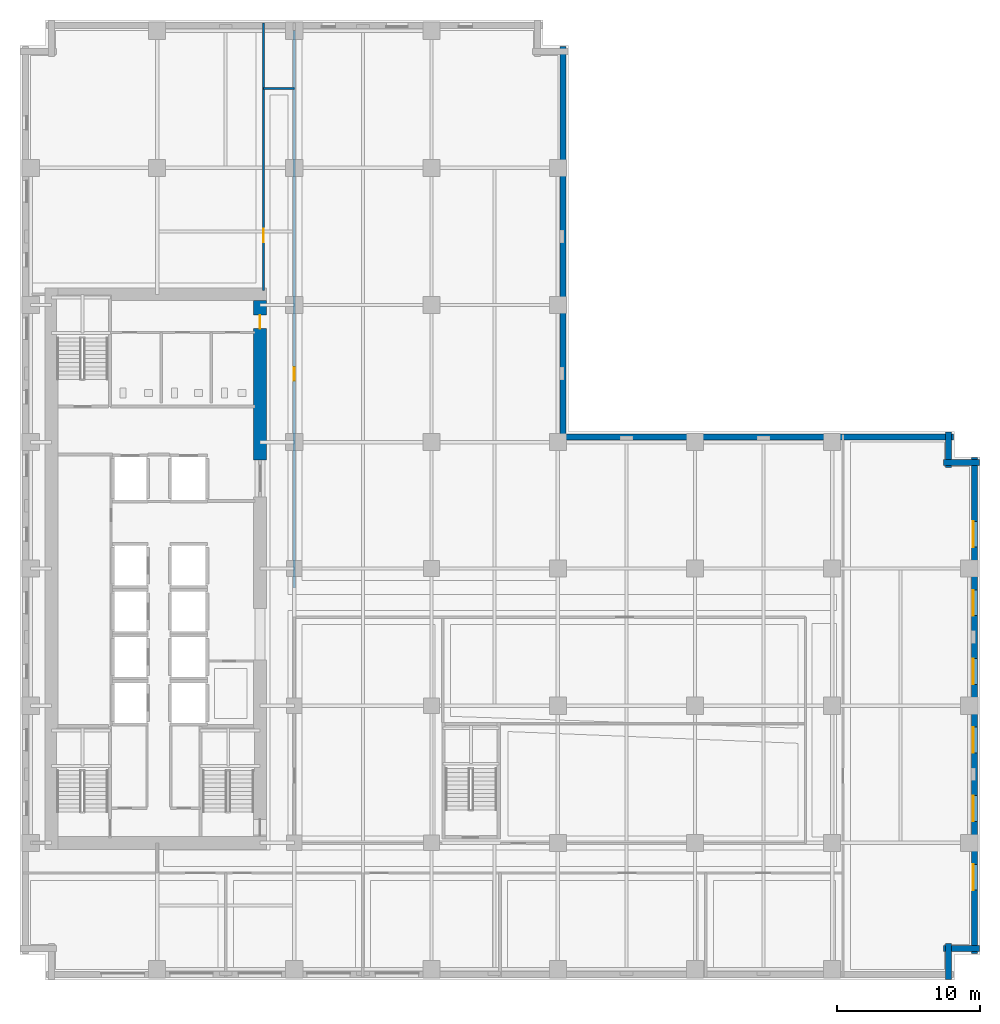
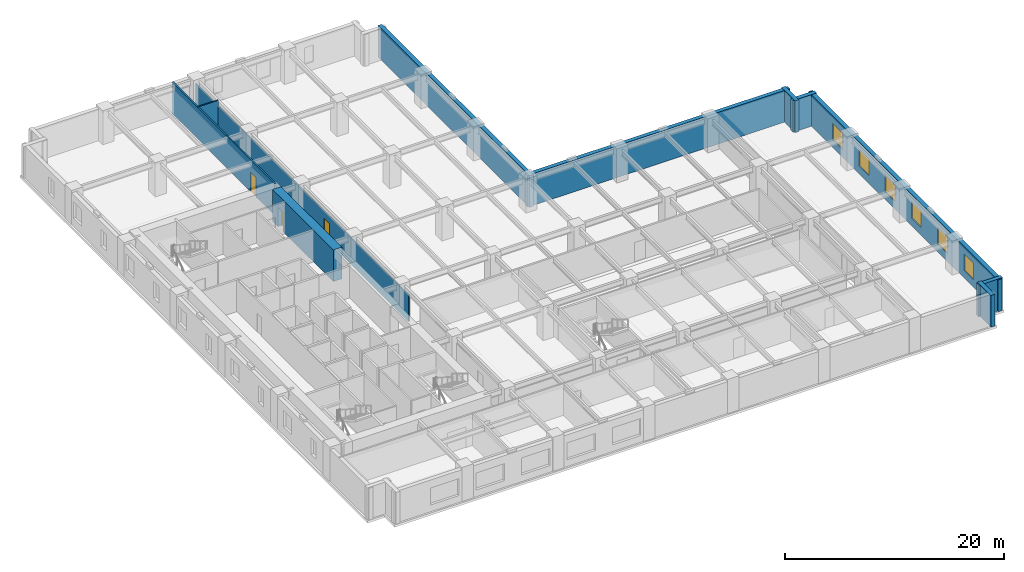
# One storey, part 7 of 13: 11 walls, 6 windows, 3 doors, 9 openings.
"""IFC4 building model written with IfcOpenShell, lengths in metres."""

from ifc_helpers import new_model, si_unit, direction, frame, frame_2d, origin, place, context, subcontext, project, spatial, rectangle, extrude, material, layer, layer_set, type_object, element, fill, save


model = new_model("IFC4")

# Units and contexts
model_context = context("Model", 3, precision=1e-05, world=origin(), true_north=direction((0.0, 1.0)))
body_context = subcontext(model_context, "Body", "Model", "MODEL_VIEW")
ifc_project = project(units=[si_unit("LENGTHUNIT", "METRE"), si_unit("AREAUNIT", "SQUARE_METRE"), si_unit("VOLUMEUNIT", "CUBIC_METRE"), si_unit("PLANEANGLEUNIT", "RADIAN"), si_unit("MASSUNIT", "GRAM", prefix="KILO")], contexts=[model_context])

# Site, building, storey
site_placement = place(None, origin())
site = spatial("IfcSite", under=ifc_project, at=site_placement, CompositionType="ELEMENT")
building_placement = place(site_placement, origin())
building = spatial("IfcBuilding", under=site, at=building_placement, Name="Norrvale University Quadrangle", CompositionType="ELEMENT")
storey_placement = place(building_placement, frame((0.0, 0.0, 31.800048828125)))
storey = spatial("IfcBuildingStorey", under=building, at=storey_placement, Name="L07", CompositionType="ELEMENT", Elevation=31.800048828125)

# Walls
ifc_material_1 = material(Name="Buff Norman Clay Brick Masonry", Category="masonry")
ifc_layer_1 = layer(ifc_material_1, 0.419921875, Name="Buff Norman Clay Brick Masonry")
ifc_layer_set_1 = layer_set([ifc_layer_1], Name="Buff Norman Clay Brick Masonry")
wall_type_1 = type_object("IfcWallType", Name="Wall Buff Brick 420", PredefinedType="SOLIDWALL", material=ifc_layer_set_1)
for number, where, z_axis, x_axis, name in (
    (1, (65.010009765625, 0.0400390625, 0.0), (0.0, 0.0, 1.0), (0.0, 1.0, 0.0), "Exterior Brick Facade Wall L07-02.1"),
    (2, (64.659912109375, 2.18994140625, 0.0), (0.0, 0.0, 1.0), (1.0, 0.0, 0.0), "Exterior Brick Facade Wall L07-03.1"),
):
    element("IfcWall", number, at=place(storey_placement, frame(where, z_axis=z_axis, x_axis=x_axis)), inside=storey, type_object=wall_type_1, Name=name, PredefinedType="SOLIDWALL", context=body_context, shape_type="SweptSolid", body=[
        extrude(rectangle(XDim=2.5, YDim=0.419921875, at=frame_2d((1.25, 0.0))), origin(), (0.0, 0.0, 1.0), 3.5400390625),
    ])

# Wall, openings, windows
wall_1_placement = place(storey_placement, frame((66.81005859375, 1.840087890625, 0.0), z_axis=(0.0, 0.0, 1.0), x_axis=(0.0, 1.0, 0.0)))
wall_1 = element("IfcWall", 3, at=wall_1_placement, inside=storey, type_object=wall_type_1, Name="Exterior Brick Facade Wall L07-04.1", PredefinedType="SOLIDWALL", context=body_context, shape_type="SweptSolid", body=[
    extrude(rectangle(XDim=34.719970703125, YDim=0.419921875, at=frame_2d((17.35986328125, 0.0))), origin(), (0.0, 0.0, 1.0), 3.5400390625),
])
opening_1_placement = place(wall_1_placement, frame((4.4599609375, 0.0, 0.85009765625)))
opening_1 = element("IfcOpeningElement", 4, at=opening_1_placement, cuts=wall_1, Name="Opening W01", PredefinedType="OPENING", context=body_context, shape_type="SweptSolid", body=[
    extrude(rectangle(XDim=1.800048828125, YDim=1.85009765625, at=frame_2d((0.89990234375, 0.925048828125))), frame((0.0, 0.221923828125, 0.0), z_axis=(0.0, -1.0, 0.0), x_axis=(1.0, 0.0, 0.0)), (0.0, 0.0, 1.0), 0.44384765625),
])
opening_2_placement = place(wall_1_placement, frame((9.260009765625, 0.0, 0.85009765625)))
opening_2 = element("IfcOpeningElement", 5, at=opening_2_placement, cuts=wall_1, Name="Opening W01", PredefinedType="OPENING", context=body_context, shape_type="SweptSolid", body=[
    extrude(rectangle(XDim=1.800048828125, YDim=1.85009765625, at=frame_2d((0.89990234375, 0.925048828125))), frame((0.0, 0.221923828125, 0.0), z_axis=(0.0, -1.0, 0.0), x_axis=(1.0, 0.0, 0.0)), (0.0, 0.0, 1.0), 0.44384765625),
])
opening_3_placement = place(wall_1_placement, frame((14.06005859375, 0.0, 0.85009765625)))
opening_3 = element("IfcOpeningElement", 6, at=opening_3_placement, cuts=wall_1, Name="Opening W01", PredefinedType="OPENING", context=body_context, shape_type="SweptSolid", body=[
    extrude(rectangle(XDim=1.800048828125, YDim=1.85009765625, at=frame_2d((0.89990234375, 0.925048828125))), frame((0.0, 0.221923828125, 0.0), z_axis=(0.0, -1.0, 0.0), x_axis=(1.0, 0.0, 0.0)), (0.0, 0.0, 1.0), 0.44384765625),
])
opening_4_placement = place(wall_1_placement, frame((18.860107421875, 0.0, 0.85009765625)))
opening_4 = element("IfcOpeningElement", 7, at=opening_4_placement, cuts=wall_1, Name="Opening W01", PredefinedType="OPENING", context=body_context, shape_type="SweptSolid", body=[
    extrude(rectangle(XDim=1.800048828125, YDim=1.85009765625, at=frame_2d((0.89990234375, 0.925048828125))), frame((0.0, 0.221923828125, 0.0), z_axis=(0.0, -1.0, 0.0), x_axis=(1.0, 0.0, 0.0)), (0.0, 0.0, 1.0), 0.44384765625),
])
opening_5_placement = place(wall_1_placement, frame((23.659912109375, 0.0, 0.85009765625)))
opening_5 = element("IfcOpeningElement", 8, at=opening_5_placement, cuts=wall_1, Name="Opening W01", PredefinedType="OPENING", context=body_context, shape_type="SweptSolid", body=[
    extrude(rectangle(XDim=1.800048828125, YDim=1.85009765625, at=frame_2d((0.89990234375, 0.925048828125))), frame((0.0, 0.221923828125, 0.0), z_axis=(0.0, -1.0, 0.0), x_axis=(1.0, 0.0, 0.0)), (0.0, 0.0, 1.0), 0.44384765625),
])
opening_6_placement = place(wall_1_placement, frame((28.4599609375, 0.0, 0.85009765625)))
opening_6 = element("IfcOpeningElement", 9, at=opening_6_placement, cuts=wall_1, Name="Opening W01", PredefinedType="OPENING", context=body_context, shape_type="SweptSolid", body=[
    extrude(rectangle(XDim=1.800048828125, YDim=1.85009765625, at=frame_2d((0.89990234375, 0.925048828125))), frame((0.0, 0.221923828125, 0.0), z_axis=(0.0, -1.0, 0.0), x_axis=(1.0, 0.0, 0.0)), (0.0, 0.0, 1.0), 0.44384765625),
])
ifc_material_2 = material(Name="Triple Low-E Argon Glazing", Category="glass")
window_type = type_object("IfcWindowType", Name="Window Academic 1800x2300", PartitioningType="DOUBLE_PANEL_VERTICAL", PredefinedType="WINDOW", material=ifc_material_2)
window_1_placement = place(opening_1_placement, origin())
window_1 = element("IfcWindow", 10, at=window_1_placement, inside=storey, type_object=window_type, Name="Window Academic 1800x2300 WIN-L07-E04-1-01", OverallHeight=1.85009765625, OverallWidth=1.800048828125, PartitioningType="DOUBLE_PANEL_VERTICAL", PredefinedType="WINDOW", context=body_context, shape_type="SweptSolid", body=[
    extrude(rectangle(XDim=1.800048828125, YDim=1.85009765625, at=frame_2d((0.89990234375, 0.925048828125))), frame((0.0, 0.110107421875, 0.0), z_axis=(0.0, -1.0, 0.0), x_axis=(1.0, 0.0, 0.0)), (0.0, 0.0, 1.0), 0.06005859375),
])
fill(opening_1, window_1)
window_2_placement = place(opening_2_placement, origin())
window_2 = element("IfcWindow", 11, at=window_2_placement, inside=storey, type_object=window_type, Name="Window Academic 1800x2300 WIN-L07-E04-1-02", OverallHeight=1.85009765625, OverallWidth=1.800048828125, PartitioningType="DOUBLE_PANEL_VERTICAL", PredefinedType="WINDOW", context=body_context, shape_type="SweptSolid", body=[
    extrude(rectangle(XDim=1.800048828125, YDim=1.85009765625, at=frame_2d((0.89990234375, 0.925048828125))), frame((0.0, 0.110107421875, 0.0), z_axis=(0.0, -1.0, 0.0), x_axis=(1.0, 0.0, 0.0)), (0.0, 0.0, 1.0), 0.06005859375),
])
fill(opening_2, window_2)
window_3_placement = place(opening_3_placement, origin())
window_3 = element("IfcWindow", 12, at=window_3_placement, inside=storey, type_object=window_type, Name="Window Academic 1800x2300 WIN-L07-E04-1-03", OverallHeight=1.85009765625, OverallWidth=1.800048828125, PartitioningType="DOUBLE_PANEL_VERTICAL", PredefinedType="WINDOW", context=body_context, shape_type="SweptSolid", body=[
    extrude(rectangle(XDim=1.800048828125, YDim=1.85009765625, at=frame_2d((0.89990234375, 0.925048828125))), frame((0.0, 0.110107421875, 0.0), z_axis=(0.0, -1.0, 0.0), x_axis=(1.0, 0.0, 0.0)), (0.0, 0.0, 1.0), 0.06005859375),
])
fill(opening_3, window_3)
window_4_placement = place(opening_4_placement, origin())
window_4 = element("IfcWindow", 13, at=window_4_placement, inside=storey, type_object=window_type, Name="Window Academic 1800x2300 WIN-L07-E04-1-04", OverallHeight=1.85009765625, OverallWidth=1.800048828125, PartitioningType="DOUBLE_PANEL_VERTICAL", PredefinedType="WINDOW", context=body_context, shape_type="SweptSolid", body=[
    extrude(rectangle(XDim=1.800048828125, YDim=1.85009765625, at=frame_2d((0.89990234375, 0.925048828125))), frame((0.0, 0.110107421875, 0.0), z_axis=(0.0, -1.0, 0.0), x_axis=(1.0, 0.0, 0.0)), (0.0, 0.0, 1.0), 0.06005859375),
])
fill(opening_4, window_4)
window_5_placement = place(opening_5_placement, origin())
window_5 = element("IfcWindow", 14, at=window_5_placement, inside=storey, type_object=window_type, Name="Window Academic 1800x2300 WIN-L07-E04-1-05", OverallHeight=1.85009765625, OverallWidth=1.800048828125, PartitioningType="DOUBLE_PANEL_VERTICAL", PredefinedType="WINDOW", context=body_context, shape_type="SweptSolid", body=[
    extrude(rectangle(XDim=1.800048828125, YDim=1.85009765625, at=frame_2d((0.89990234375, 0.925048828125))), frame((0.0, 0.110107421875, 0.0), z_axis=(0.0, -1.0, 0.0), x_axis=(1.0, 0.0, 0.0)), (0.0, 0.0, 1.0), 0.06005859375),
])
fill(opening_5, window_5)
window_6_placement = place(opening_6_placement, origin())
window_6 = element("IfcWindow", 15, at=window_6_placement, inside=storey, type_object=window_type, Name="Window Academic 1800x2300 WIN-L07-E04-1-06", OverallHeight=1.85009765625, OverallWidth=1.800048828125, PartitioningType="DOUBLE_PANEL_VERTICAL", PredefinedType="WINDOW", context=body_context, shape_type="SweptSolid", body=[
    extrude(rectangle(XDim=1.800048828125, YDim=1.85009765625, at=frame_2d((0.89990234375, 0.925048828125))), frame((0.0, 0.110107421875, 0.0), z_axis=(0.0, -1.0, 0.0), x_axis=(1.0, 0.0, 0.0)), (0.0, 0.0, 1.0), 0.06005859375),
])
fill(opening_6, window_6)

# Walls
for number, where, z_axis, x_axis, name in (
    (16, (67.159912109375, 36.2099609375, 0.0), (0.0, 0.0, 1.0), (-1.0, 0.0, 0.0), "Exterior Brick Facade Wall L07-05.1"),
    (17, (65.010009765625, 35.860107421875, 0.0), (0.0, 0.0, 1.0), (0.0, 1.0, 0.0), "Exterior Brick Facade Wall L07-06.1"),
):
    element("IfcWall", number, at=place(storey_placement, frame(where, z_axis=z_axis, x_axis=x_axis)), inside=storey, type_object=wall_type_1, Name=name, PredefinedType="SOLIDWALL", context=body_context, shape_type="SweptSolid", body=[
        extrude(rectangle(XDim=2.5, YDim=0.419921875, at=frame_2d((1.25, 0.0))), origin(), (0.0, 0.0, 1.0), 3.5400390625),
    ])
for number, where, z_axis, x_axis, name in (
    (18, (65.360107421875, 38.010009765625, 0.0), (0.0, 0.0, 1.0), (-1.0, 0.0, 0.0), "Exterior Brick Facade Wall L07-07.1"),
    (19, (38.010009765625, 37.659912109375, 0.0), (0.0, 0.0, 1.0), (0.0, 1.0, 0.0), "Exterior Brick Facade Wall L07-08.1"),
):
    element("IfcWall", number, at=place(storey_placement, frame(where, z_axis=z_axis, x_axis=x_axis)), inside=storey, type_object=wall_type_1, Name=name, PredefinedType="SOLIDWALL", context=body_context, shape_type="SweptSolid", body=[
        extrude(rectangle(XDim=27.7001953125, YDim=0.419921875, at=frame_2d((13.85009765625, 0.0))), origin(), (0.0, 0.0, 1.0), 3.5400390625),
    ])

# Wall, opening, door
ifc_material_3 = material(Name="Concrete C80/95", Category="concrete")
ifc_layer_2 = layer(ifc_material_3, 0.89990234375, Name="Concrete C80/95")
ifc_layer_set_2 = layer_set([ifc_layer_2], Name="Concrete C80/95")
wall_type_2 = type_object("IfcWallType", Name="Wall Core 900", PredefinedType="SHEAR", material=ifc_layer_set_2)
wall_2_placement = place(storey_placement, frame((16.800048828125, 36.39990234375, 0.0), z_axis=(0.0, 0.0, 1.0), x_axis=(0.0, 1.0, 0.0)))
wall_2 = element("IfcWall", 20, at=wall_2_placement, inside=storey, type_object=wall_type_2, Name="Tower Core Shear Wall L07-E3", PredefinedType="SHEAR", context=body_context, shape_type="SweptSolid", body=[
    extrude(rectangle(XDim=11.150146484375, YDim=0.89990234375, at=frame_2d((5.5751953125, 0.0))), origin(), (0.0, 0.0, 1.0), 3.5400390625),
])
opening_7_placement = place(wall_2_placement, frame((9.199951171875, 0.0, 0.0)))
opening_7 = element("IfcOpeningElement", 21, at=opening_7_placement, cuts=wall_2, Name="Opening D07", PredefinedType="OPENING", context=body_context, shape_type="SweptSolid", body=[
    extrude(rectangle(XDim=0.949951171875, YDim=2.14990234375, at=frame_2d((0.47509765625, 1.074951171875))), frame((0.0, 0.4619140625, 0.0), z_axis=(0.0, -1.0, 0.0), x_axis=(1.0, 0.0, 0.0)), (0.0, 0.0, 1.0), 0.923828125),
])
ifc_material_4 = material(Name="Solid-Core Maple Door", Category="wood")
door_type = type_object("IfcDoorType", Name="Door Office 950x2150", OperationType="NOTDEFINED", PredefinedType="DOOR", material=ifc_material_4)
door_1_placement = place(opening_7_placement, origin())
door_1 = element("IfcDoor", 22, at=door_1_placement, inside=storey, type_object=door_type, Name="Door Office 950x2150 DR-L07-NECORR", OperationType="SINGLE_SWING_RIGHT", OverallHeight=2.14990234375, OverallWidth=0.949951171875, PredefinedType="DOOR", context=body_context, shape_type="SweptSolid", body=[
    extrude(rectangle(XDim=0.949951171875, YDim=2.14990234375, at=frame_2d((0.47509765625, 1.074951171875))), frame((0.0, 0.02490234375, 0.0), z_axis=(0.0, -1.0, 0.0), x_axis=(1.0, 0.0, 0.0)), (0.0, 0.0, 1.0), 0.050048828125),
])
fill(opening_7, door_1)

# Wall
ifc_material_5 = material(Name="Fire-Rated Gypsum Stud Partition")
ifc_layer_3 = layer(ifc_material_5, 0.14990234375, Name="Fire-Rated Gypsum Stud Partition")
ifc_layer_set_3 = layer_set([ifc_layer_3], Name="Fire-Rated Gypsum Stud Partition")
wall_type_3 = type_object("IfcWallType", Name="Wall Gypsum Corridor 150", PredefinedType="PARTITIONING", material=ifc_layer_set_3)
wall_3_placement = place(storey_placement, frame((17.050048828125, 62.39990234375, 0.0), z_axis=(0.0, 0.0, 1.0), x_axis=(1.0, 0.0, 0.0)))
element("IfcWall", 23, at=wall_3_placement, inside=storey, type_object=wall_type_3, Name="Interior Partition WL-L07-CN-END", PredefinedType="PARTITIONING", context=body_context, shape_type="SweptSolid", body=[
    extrude(rectangle(XDim=2.14990234375, YDim=0.14990234375, at=frame_2d((1.074951171875, 0.0))), origin(), (0.0, 0.0, 1.0), 3.5400390625),
])

# Wall, opening, door
wall_4_placement = place(storey_placement, frame((19.199951171875, 27.449951171875, 0.0), z_axis=(0.0, 0.0, 1.0), x_axis=(0.0, 1.0, 0.0)))
wall_4 = element("IfcWall", 24, at=wall_4_placement, inside=storey, type_object=wall_type_3, Name="Interior Partition WL-L07-NECW", PredefinedType="PARTITIONING", context=body_context, shape_type="SweptSolid", body=[
    extrude(rectangle(XDim=39.0, YDim=0.14990234375, at=frame_2d((19.5, 0.0))), origin(), (0.0, 0.0, 1.0), 2.9228515625),
])
opening_8_placement = place(wall_4_placement, frame((14.5, 0.0, 0.0)))
opening_8 = element("IfcOpeningElement", 25, at=opening_8_placement, cuts=wall_4, Name="Opening D07", PredefinedType="OPENING", context=body_context, shape_type="SweptSolid", body=[
    extrude(rectangle(XDim=0.949951171875, YDim=2.14990234375, at=frame_2d((0.47509765625, 1.074951171875))), frame((0.0, 0.0869140625, 0.0), z_axis=(0.0, -1.0, 0.0), x_axis=(1.0, 0.0, 0.0)), (0.0, 0.0, 1.0), 0.173828125),
])
door_2_placement = place(opening_8_placement, origin())
door_2 = element("IfcDoor", 26, at=door_2_placement, inside=storey, type_object=door_type, Name="Door Office 950x2150 DR-L07-NE01", OperationType="SINGLE_SWING_RIGHT", OverallHeight=2.14990234375, OverallWidth=0.949951171875, PredefinedType="DOOR", context=body_context, shape_type="SweptSolid", body=[
    extrude(rectangle(XDim=0.949951171875, YDim=2.14990234375, at=frame_2d((0.47509765625, 1.074951171875))), frame((0.0, 0.02490234375, 0.0), z_axis=(0.0, -1.0, 0.0), x_axis=(1.0, 0.0, 0.0)), (0.0, 0.0, 1.0), 0.050048828125),
])
fill(opening_8, door_2)

wall_5_placement = place(storey_placement, frame((17.050048828125, 48.25, 0.0), z_axis=(0.0, 0.0, 1.0), x_axis=(0.0, 1.0, 0.0)))
wall_5 = element("IfcWall", 27, at=wall_5_placement, inside=storey, type_object=wall_type_3, Name="Interior Partition WL-L07-NWCW", PredefinedType="PARTITIONING", context=body_context, shape_type="SweptSolid", body=[
    extrude(rectangle(XDim=18.72998046875, YDim=0.14990234375, at=frame_2d((9.364990234375, 0.0))), origin(), (0.0, 0.0, 1.0), 3.5400390625),
])
opening_9_placement = place(wall_5_placement, frame((3.39990234375, 0.0, 0.0)))
opening_9 = element("IfcOpeningElement", 28, at=opening_9_placement, cuts=wall_5, Name="Opening D07", PredefinedType="OPENING", context=body_context, shape_type="SweptSolid", body=[
    extrude(rectangle(XDim=0.949951171875, YDim=2.14990234375, at=frame_2d((0.47509765625, 1.074951171875))), frame((0.0, 0.0869140625, 0.0), z_axis=(0.0, -1.0, 0.0), x_axis=(1.0, 0.0, 0.0)), (0.0, 0.0, 1.0), 0.173828125),
])
door_3_placement = place(opening_9_placement, origin())
door_3 = element("IfcDoor", 29, at=door_3_placement, inside=storey, type_object=door_type, Name="Door Office 950x2150 DR-L07-NW01", OperationType="SINGLE_SWING_RIGHT", OverallHeight=2.14990234375, OverallWidth=0.949951171875, PredefinedType="DOOR", context=body_context, shape_type="SweptSolid", body=[
    extrude(rectangle(XDim=0.949951171875, YDim=2.14990234375, at=frame_2d((0.47509765625, 1.074951171875))), frame((0.0, 0.02490234375, 0.0), z_axis=(0.0, -1.0, 0.0), x_axis=(1.0, 0.0, 0.0)), (0.0, 0.0, 1.0), 0.050048828125),
])
fill(opening_9, door_3)

save(model, "model.ifc")
